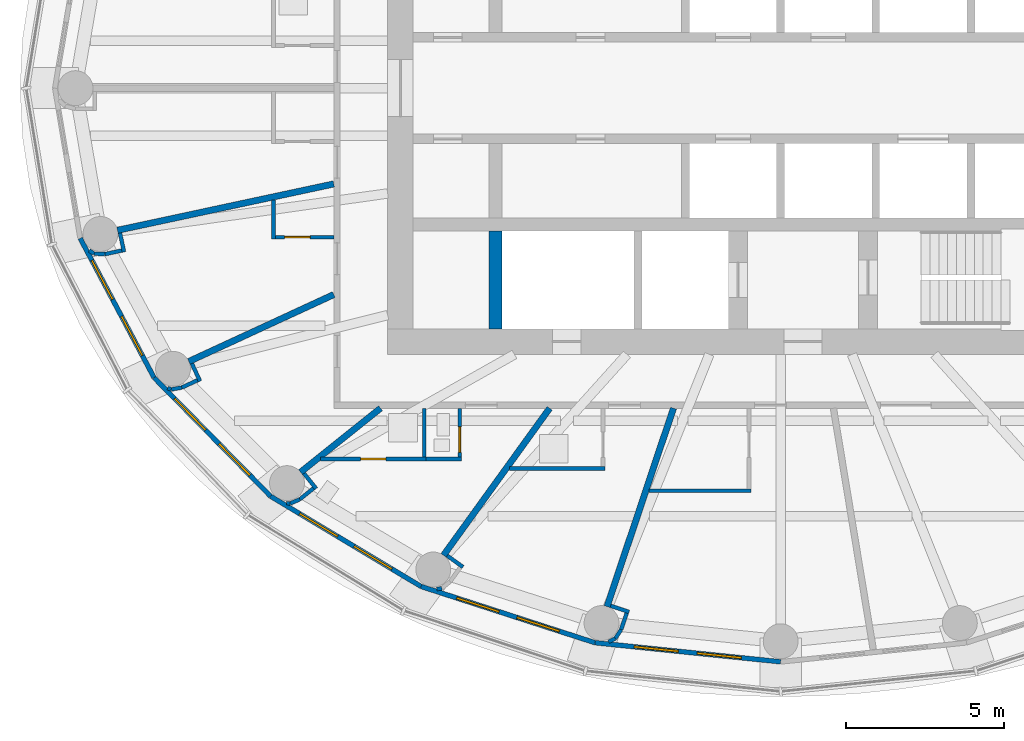
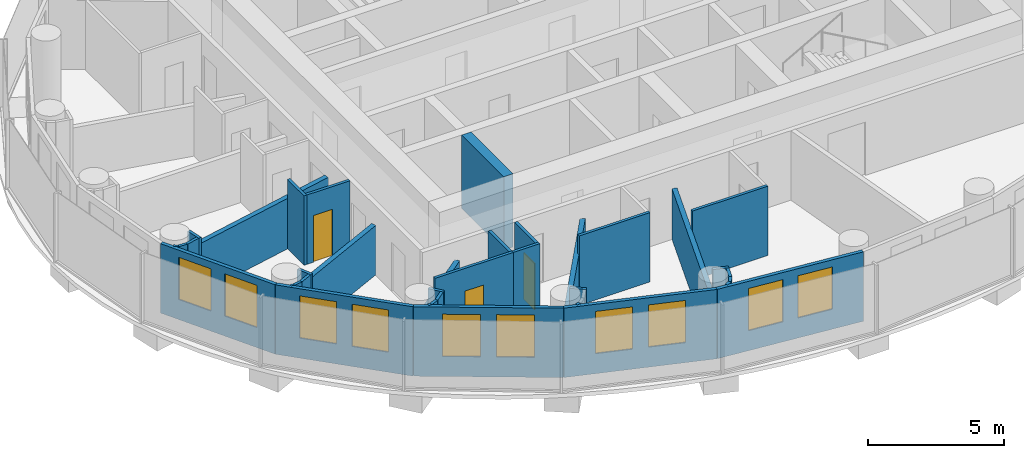
# One storey, part 7 of 16: 37 walls, 10 windows, 3 doors, 13 openings.
"""IFC4 building model written with IfcOpenShell, lengths in metres."""

from ifc_helpers import new_model, si_unit, direction, frame, frame_2d, origin, place, context, subcontext, project, spatial, rectangle, extrude, material, layer, layer_set, type_object, element, fill, save


model = new_model("IFC4")

# Units and contexts
model_context = context("Model", 3, precision=1e-05, world=origin(), true_north=direction((0.0, 1.0)))
body_context = subcontext(model_context, "Body", "Model", "MODEL_VIEW")
ifc_project = project(units=[si_unit("LENGTHUNIT", "METRE"), si_unit("AREAUNIT", "SQUARE_METRE"), si_unit("VOLUMEUNIT", "CUBIC_METRE"), si_unit("PLANEANGLEUNIT", "RADIAN"), si_unit("MASSUNIT", "GRAM", prefix="KILO")], contexts=[model_context])

# Site, building, storey
site_placement = place(None, origin())
site = spatial("IfcSite", under=ifc_project, at=site_placement, CompositionType="ELEMENT")
building_placement = place(site_placement, origin())
building = spatial("IfcBuilding", under=site, at=building_placement, Name="Hankou Lantern Tower", CompositionType="ELEMENT")
storey_placement = place(building_placement, frame((0.0, 0.0, 143.39990234375)))
storey = spatial("IfcBuildingStorey", under=building, at=storey_placement, Name="L37", CompositionType="ELEMENT", Elevation=143.39990234375)

# Wall
ifc_material_1 = material(Name="Concrete C60", Category="concrete")
ifc_layer_1 = layer(ifc_material_1, 0.39990234375)
ifc_layer_set_1 = layer_set([ifc_layer_1], Name="Concrete C60")
wall_type_1 = type_object("IfcWallType", Name="CW4 CORE CROSS WALL 400", PredefinedType="SHEAR", material=ifc_layer_set_1)
wall_1_placement = place(storey_placement, frame((-9.0, -7.60009765625, 0.0), z_axis=(0.0, 0.0, 1.0), x_axis=(0.0, 1.0, 0.0)))
element("IfcWall", 1, at=wall_1_placement, inside=storey, type_object=wall_type_1, Name="Core strip wall L37", PredefinedType="SHEAR", context=body_context, shape_type="SweptSolid", body=[
    extrude(rectangle(XDim=3.10009765625, YDim=0.39990234375, at=frame_2d((1.550048828125, 0.0))), origin(), (0.0, 0.0, 1.0), 3.300048828125),
])

# Wall, openings, windows
ifc_material_2 = material(Name="Aluminium spandrel panel on steel studs", Category="steel")
ifc_layer_2 = layer(ifc_material_2, 0.14990234375)
ifc_layer_set_2 = layer_set([ifc_layer_2], Name="Aluminium spandrel panel on steel studs")
wall_type_2 = type_object("IfcWallType", Name="EW1 INNER SKIN WALL 150", PredefinedType="ELEMENTEDWALL", material=ifc_layer_set_2)
wall_2_placement = place(storey_placement, frame((-22.1015625, -4.73779296875, 0.0), z_axis=(0.0, 0.0, 1.0), x_axis=(0.468428906714, -0.883501193748, 0.0)))
wall_2 = element("IfcWall", 2, at=wall_2_placement, inside=storey, type_object=wall_type_2, Name="Inner skin R14-R15 L37", PredefinedType="ELEMENTEDWALL", context=body_context, shape_type="SweptSolid", body=[
    extrude(rectangle(XDim=4.9736328125, YDim=0.14990234375, at=frame_2d((2.48681640625, 0.0))), origin(), (0.0, 0.0, 1.0), 3.1201171875),
])
opening_1_placement = place(wall_2_placement, frame((0.786865234375, 0.0, 0.89990234375)))
opening_1 = element("IfcOpeningElement", 3, at=opening_1_placement, cuts=wall_2, Name="Opening W3", PredefinedType="OPENING", context=body_context, shape_type="SweptSolid", body=[
    extrude(rectangle(XDim=1.39990234375, YDim=1.89990234375, at=frame_2d((0.699951171875, 0.949951171875))), frame((0.0, 0.0849609375, 0.0), z_axis=(0.0, -1.0, 0.0), x_axis=(1.0, 0.0, 0.0)), (0.0, 0.0, 1.0), 0.169921875),
])
opening_2_placement = place(wall_2_placement, frame((2.786865234375, 0.0, 0.89990234375)))
opening_2 = element("IfcOpeningElement", 4, at=opening_2_placement, cuts=wall_2, Name="Opening W3", PredefinedType="OPENING", context=body_context, shape_type="SweptSolid", body=[
    extrude(rectangle(XDim=1.39990234375, YDim=1.89990234375, at=frame_2d((0.699951171875, 0.949951171875))), frame((0.0, 0.0849609375, 0.0), z_axis=(0.0, -1.0, 0.0), x_axis=(1.0, 0.0, 0.0)), (0.0, 0.0, 1.0), 0.169921875),
])
ifc_material_3 = material(Name="Aluminium framed double glazed window", Category="aluminium")
window_type = type_object("IfcWindowType", Name="W3 GUEST ROOM WINDOW 1400X1900", PartitioningType="DOUBLE_PANEL_VERTICAL", PredefinedType="WINDOW", material=ifc_material_3)
window_1_placement = place(opening_1_placement, origin())
window_1 = element("IfcWindow", 5, at=window_1_placement, inside=storey, type_object=window_type, Name="Window R14.1 L37", OverallHeight=1.89990234375, OverallWidth=1.39990234375, PartitioningType="SINGLE_PANEL", PredefinedType="WINDOW", context=body_context, shape_type="SweptSolid", body=[
    extrude(rectangle(XDim=1.39990234375, YDim=1.89990234375, at=frame_2d((0.699951171875, 0.949951171875))), frame((0.0, 0.030029296875, 0.0), z_axis=(0.0, -1.0, 0.0), x_axis=(1.0, 0.0, 0.0)), (0.0, 0.0, 1.0), 0.06005859375),
])
fill(opening_1, window_1)
window_2_placement = place(opening_2_placement, origin())
window_2 = element("IfcWindow", 6, at=window_2_placement, inside=storey, type_object=window_type, Name="Window R14.2 L37", OverallHeight=1.89990234375, OverallWidth=1.39990234375, PartitioningType="SINGLE_PANEL", PredefinedType="WINDOW", context=body_context, shape_type="SweptSolid", body=[
    extrude(rectangle(XDim=1.39990234375, YDim=1.89990234375, at=frame_2d((0.699951171875, 0.949951171875))), frame((0.0, 0.030029296875, 0.0), z_axis=(0.0, -1.0, 0.0), x_axis=(1.0, 0.0, 0.0)), (0.0, 0.0, 1.0), 0.06005859375),
])
fill(opening_2, window_2)

wall_3_placement = place(storey_placement, frame((-19.771728515625, -9.132080078125, 0.0), z_axis=(0.0, 0.0, 1.0), x_axis=(0.700727467776, -0.71342905457, 0.0)))
wall_3 = element("IfcWall", 7, at=wall_3_placement, inside=storey, type_object=wall_type_2, Name="Inner skin R15-R16 L37", PredefinedType="ELEMENTEDWALL", context=body_context, shape_type="SweptSolid", body=[
    extrude(rectangle(XDim=5.247314453125, YDim=0.14990234375, at=frame_2d((2.62353515625, 0.0))), origin(), (0.0, 0.0, 1.0), 3.1201171875),
])
opening_3_placement = place(wall_3_placement, frame((0.923583984375, 0.0, 0.89990234375)))
opening_3 = element("IfcOpeningElement", 8, at=opening_3_placement, cuts=wall_3, Name="Opening W3", PredefinedType="OPENING", context=body_context, shape_type="SweptSolid", body=[
    extrude(rectangle(XDim=1.39990234375, YDim=1.89990234375, at=frame_2d((0.699951171875, 0.949951171875))), frame((0.0, 0.0849609375, 0.0), z_axis=(0.0, -1.0, 0.0), x_axis=(1.0, 0.0, 0.0)), (0.0, 0.0, 1.0), 0.169921875),
])
opening_4_placement = place(wall_3_placement, frame((2.923583984375, 0.0, 0.89990234375)))
opening_4 = element("IfcOpeningElement", 9, at=opening_4_placement, cuts=wall_3, Name="Opening W3", PredefinedType="OPENING", context=body_context, shape_type="SweptSolid", body=[
    extrude(rectangle(XDim=1.39990234375, YDim=1.89990234375, at=frame_2d((0.699951171875, 0.949951171875))), frame((0.0, 0.0849609375, 0.0), z_axis=(0.0, -1.0, 0.0), x_axis=(1.0, 0.0, 0.0)), (0.0, 0.0, 1.0), 0.169921875),
])
window_3_placement = place(opening_3_placement, origin())
window_3 = element("IfcWindow", 10, at=window_3_placement, inside=storey, type_object=window_type, Name="Window R15.1 L37", OverallHeight=1.89990234375, OverallWidth=1.39990234375, PartitioningType="SINGLE_PANEL", PredefinedType="WINDOW", context=body_context, shape_type="SweptSolid", body=[
    extrude(rectangle(XDim=1.39990234375, YDim=1.89990234375, at=frame_2d((0.699951171875, 0.949951171875))), frame((0.0, 0.030029296875, 0.0), z_axis=(0.0, -1.0, 0.0), x_axis=(1.0, 0.0, 0.0)), (0.0, 0.0, 1.0), 0.06005859375),
])
fill(opening_3, window_3)
window_4_placement = place(opening_4_placement, origin())
window_4 = element("IfcWindow", 11, at=window_4_placement, inside=storey, type_object=window_type, Name="Window R15.2 L37", OverallHeight=1.89990234375, OverallWidth=1.39990234375, PartitioningType="SINGLE_PANEL", PredefinedType="WINDOW", context=body_context, shape_type="SweptSolid", body=[
    extrude(rectangle(XDim=1.39990234375, YDim=1.89990234375, at=frame_2d((0.699951171875, 0.949951171875))), frame((0.0, 0.030029296875, 0.0), z_axis=(0.0, -1.0, 0.0), x_axis=(1.0, 0.0, 0.0)), (0.0, 0.0, 1.0), 0.06005859375),
])
fill(opening_4, window_4)

wall_4_placement = place(storey_placement, frame((-16.0947265625, -12.875732421875, 0.0), z_axis=(0.0, 0.0, 1.0), x_axis=(0.857695199231, -0.514158482587, 0.0)))
wall_4 = element("IfcWall", 12, at=wall_4_placement, inside=storey, type_object=wall_type_2, Name="Inner skin R16-R17 L37", PredefinedType="ELEMENTEDWALL", context=body_context, shape_type="SweptSolid", body=[
    extrude(rectangle(XDim=5.5361328125, YDim=0.14990234375, at=frame_2d((2.76806640625, 0.0))), origin(), (0.0, 0.0, 1.0), 3.1201171875),
])
opening_5_placement = place(wall_4_placement, frame((1.068115234375, 0.0, 0.89990234375)))
opening_5 = element("IfcOpeningElement", 13, at=opening_5_placement, cuts=wall_4, Name="Opening W3", PredefinedType="OPENING", context=body_context, shape_type="SweptSolid", body=[
    extrude(rectangle(XDim=1.39990234375, YDim=1.89990234375, at=frame_2d((0.699951171875, 0.949951171875))), frame((0.0, 0.0849609375, 0.0), z_axis=(0.0, -1.0, 0.0), x_axis=(1.0, 0.0, 0.0)), (0.0, 0.0, 1.0), 0.169921875),
])
opening_6_placement = place(wall_4_placement, frame((3.068115234375, 0.0, 0.89990234375)))
opening_6 = element("IfcOpeningElement", 14, at=opening_6_placement, cuts=wall_4, Name="Opening W3", PredefinedType="OPENING", context=body_context, shape_type="SweptSolid", body=[
    extrude(rectangle(XDim=1.39990234375, YDim=1.89990234375, at=frame_2d((0.699951171875, 0.949951171875))), frame((0.0, 0.0849609375, 0.0), z_axis=(0.0, -1.0, 0.0), x_axis=(1.0, 0.0, 0.0)), (0.0, 0.0, 1.0), 0.169921875),
])
window_5_placement = place(opening_5_placement, origin())
window_5 = element("IfcWindow", 15, at=window_5_placement, inside=storey, type_object=window_type, Name="Window R16.1 L37", OverallHeight=1.89990234375, OverallWidth=1.39990234375, PartitioningType="SINGLE_PANEL", PredefinedType="WINDOW", context=body_context, shape_type="SweptSolid", body=[
    extrude(rectangle(XDim=1.39990234375, YDim=1.89990234375, at=frame_2d((0.699951171875, 0.949951171875))), frame((0.0, 0.030029296875, 0.0), z_axis=(0.0, -1.0, 0.0), x_axis=(1.0, 0.0, 0.0)), (0.0, 0.0, 1.0), 0.06005859375),
])
fill(opening_5, window_5)
window_6_placement = place(opening_6_placement, origin())
window_6 = element("IfcWindow", 16, at=window_6_placement, inside=storey, type_object=window_type, Name="Window R16.2 L37", OverallHeight=1.89990234375, OverallWidth=1.39990234375, PartitioningType="SINGLE_PANEL", PredefinedType="WINDOW", context=body_context, shape_type="SweptSolid", body=[
    extrude(rectangle(XDim=1.39990234375, YDim=1.89990234375, at=frame_2d((0.699951171875, 0.949951171875))), frame((0.0, 0.030029296875, 0.0), z_axis=(0.0, -1.0, 0.0), x_axis=(1.0, 0.0, 0.0)), (0.0, 0.0, 1.0), 0.06005859375),
])
fill(opening_6, window_6)

wall_5_placement = place(storey_placement, frame((-11.346435546875, -15.72216796875, 0.0), z_axis=(0.0, 0.0, 1.0), x_axis=(0.951432482129, -0.307857486429, 0.0)))
wall_5 = element("IfcWall", 17, at=wall_5_placement, inside=storey, type_object=wall_type_2, Name="Inner skin R17-R18 L37", PredefinedType="ELEMENTEDWALL", context=body_context, shape_type="SweptSolid", body=[
    extrude(rectangle(XDim=5.76611328125, YDim=0.14990234375, at=frame_2d((2.883056640625, 0.0))), origin(), (0.0, 0.0, 1.0), 3.1201171875),
])
opening_7_placement = place(wall_5_placement, frame((1.18310546875, 0.0, 0.89990234375)))
opening_7 = element("IfcOpeningElement", 18, at=opening_7_placement, cuts=wall_5, Name="Opening W3", PredefinedType="OPENING", context=body_context, shape_type="SweptSolid", body=[
    extrude(rectangle(XDim=1.39990234375, YDim=1.89990234375, at=frame_2d((0.699951171875, 0.949951171875))), frame((0.0, 0.0849609375, 0.0), z_axis=(0.0, -1.0, 0.0), x_axis=(1.0, 0.0, 0.0)), (0.0, 0.0, 1.0), 0.169921875),
])
opening_8_placement = place(wall_5_placement, frame((3.18310546875, 0.0, 0.89990234375)))
opening_8 = element("IfcOpeningElement", 19, at=opening_8_placement, cuts=wall_5, Name="Opening W3", PredefinedType="OPENING", context=body_context, shape_type="SweptSolid", body=[
    extrude(rectangle(XDim=1.39990234375, YDim=1.89990234375, at=frame_2d((0.699951171875, 0.949951171875))), frame((0.0, 0.0849609375, 0.0), z_axis=(0.0, -1.0, 0.0), x_axis=(1.0, 0.0, 0.0)), (0.0, 0.0, 1.0), 0.169921875),
])
window_7_placement = place(opening_7_placement, origin())
window_7 = element("IfcWindow", 20, at=window_7_placement, inside=storey, type_object=window_type, Name="Window R17.1 L37", OverallHeight=1.89990234375, OverallWidth=1.39990234375, PartitioningType="SINGLE_PANEL", PredefinedType="WINDOW", context=body_context, shape_type="SweptSolid", body=[
    extrude(rectangle(XDim=1.39990234375, YDim=1.89990234375, at=frame_2d((0.699951171875, 0.949951171875))), frame((0.0, 0.030029296875, 0.0), z_axis=(0.0, -1.0, 0.0), x_axis=(1.0, 0.0, 0.0)), (0.0, 0.0, 1.0), 0.06005859375),
])
fill(opening_7, window_7)
window_8_placement = place(opening_8_placement, origin())
window_8 = element("IfcWindow", 21, at=window_8_placement, inside=storey, type_object=window_type, Name="Window R17.2 L37", OverallHeight=1.89990234375, OverallWidth=1.39990234375, PartitioningType="SINGLE_PANEL", PredefinedType="WINDOW", context=body_context, shape_type="SweptSolid", body=[
    extrude(rectangle(XDim=1.39990234375, YDim=1.89990234375, at=frame_2d((0.699951171875, 0.949951171875))), frame((0.0, 0.030029296875, 0.0), z_axis=(0.0, -1.0, 0.0), x_axis=(1.0, 0.0, 0.0)), (0.0, 0.0, 1.0), 0.06005859375),
])
fill(opening_8, window_8)

wall_6_placement = place(storey_placement, frame((-5.8603515625, -17.497314453125, 0.0), z_axis=(0.0, 0.0, 1.0), x_axis=(0.994751738032, -0.102318032045, 0.0)))
wall_6 = element("IfcWall", 22, at=wall_6_placement, inside=storey, type_object=wall_type_2, Name="Inner skin R18-R19 L37", PredefinedType="ELEMENTEDWALL", context=body_context, shape_type="SweptSolid", body=[
    extrude(rectangle(XDim=5.891357421875, YDim=0.14990234375, at=frame_2d((2.94580078125, 0.0))), origin(), (0.0, 0.0, 1.0), 3.1201171875),
])
opening_9_placement = place(wall_6_placement, frame((1.24560546875, 0.0, 0.89990234375)))
opening_9 = element("IfcOpeningElement", 23, at=opening_9_placement, cuts=wall_6, Name="Opening W3", PredefinedType="OPENING", context=body_context, shape_type="SweptSolid", body=[
    extrude(rectangle(XDim=1.39990234375, YDim=1.89990234375, at=frame_2d((0.699951171875, 0.949951171875))), frame((0.0, 0.0849609375, 0.0), z_axis=(0.0, -1.0, 0.0), x_axis=(1.0, 0.0, 0.0)), (0.0, 0.0, 1.0), 0.169921875),
])
opening_10_placement = place(wall_6_placement, frame((3.24560546875, 0.0, 0.89990234375)))
opening_10 = element("IfcOpeningElement", 24, at=opening_10_placement, cuts=wall_6, Name="Opening W3", PredefinedType="OPENING", context=body_context, shape_type="SweptSolid", body=[
    extrude(rectangle(XDim=1.39990234375, YDim=1.89990234375, at=frame_2d((0.699951171875, 0.949951171875))), frame((0.0, 0.0849609375, 0.0), z_axis=(0.0, -1.0, 0.0), x_axis=(1.0, 0.0, 0.0)), (0.0, 0.0, 1.0), 0.169921875),
])
window_9_placement = place(opening_9_placement, origin())
window_9 = element("IfcWindow", 25, at=window_9_placement, inside=storey, type_object=window_type, Name="Window R18.1 L37", OverallHeight=1.89990234375, OverallWidth=1.39990234375, PartitioningType="SINGLE_PANEL", PredefinedType="WINDOW", context=body_context, shape_type="SweptSolid", body=[
    extrude(rectangle(XDim=1.39990234375, YDim=1.89990234375, at=frame_2d((0.699951171875, 0.949951171875))), frame((0.0, 0.030029296875, 0.0), z_axis=(0.0, -1.0, 0.0), x_axis=(1.0, 0.0, 0.0)), (0.0, 0.0, 1.0), 0.06005859375),
])
fill(opening_9, window_9)
window_10_placement = place(opening_10_placement, origin())
window_10 = element("IfcWindow", 26, at=window_10_placement, inside=storey, type_object=window_type, Name="Window R18.2 L37", OverallHeight=1.89990234375, OverallWidth=1.39990234375, PartitioningType="SINGLE_PANEL", PredefinedType="WINDOW", context=body_context, shape_type="SweptSolid", body=[
    extrude(rectangle(XDim=1.39990234375, YDim=1.89990234375, at=frame_2d((0.699951171875, 0.949951171875))), frame((0.0, 0.030029296875, 0.0), z_axis=(0.0, -1.0, 0.0), x_axis=(1.0, 0.0, 0.0)), (0.0, 0.0, 1.0), 0.06005859375),
])
fill(opening_10, window_10)

# Wall
ifc_material_4 = material(Name="Masonry lightweight concrete block", Category="masonry")
ifc_layer_3 = layer(ifc_material_4, 0.1201171875)
ifc_layer_set_3 = layer_set([ifc_layer_3], Name="Masonry lightweight concrete block")
wall_type_3 = type_object("IfcWallType", Name="IW3 BATHROOM WALL 120", PredefinedType="PARTITIONING", material=ifc_layer_set_3)
wall_7_placement = place(storey_placement, frame((-16.0, -3.52978515625, 0.0), z_axis=(0.0, 0.0, 1.0), x_axis=(0.0, -1.0, 0.0)))
element("IfcWall", 27, at=wall_7_placement, inside=storey, type_object=wall_type_3, Name="Box wall 3703 1", PredefinedType="PARTITIONING", context=body_context, shape_type="SweptSolid", body=[
    extrude(rectangle(XDim=1.232666015625, YDim=0.1201171875, at=frame_2d((0.6162109375, 0.0))), origin(), (0.0, 0.0, 1.0), 3.1201171875),
])

# Wall, opening, door
wall_8_placement = place(storey_placement, frame((-14.10009765625, -4.702392578125, 0.0), z_axis=(0.0, 0.0, 1.0), x_axis=(-1.0, 0.0, 0.0)))
wall_8 = element("IfcWall", 28, at=wall_8_placement, inside=storey, type_object=wall_type_3, Name="Box wall 3703 1", PredefinedType="PARTITIONING", context=body_context, shape_type="SweptSolid", body=[
    extrude(rectangle(XDim=1.83984375, YDim=0.1201171875, at=frame_2d((0.919921875, 0.0))), origin(), (0.0, 0.0, 1.0), 3.1201171875),
])
opening_11_placement = place(wall_8_placement, frame((0.75, 0.0, 0.0)))
opening_11 = element("IfcOpeningElement", 29, at=opening_11_placement, cuts=wall_8, Name="Opening D3", PredefinedType="OPENING", context=body_context, shape_type="SweptSolid", body=[
    extrude(rectangle(XDim=0.800048828125, YDim=2.10009765625, at=frame_2d((0.39990234375, 1.050048828125))), frame((0.0, 0.070068359375, 0.0), z_axis=(0.0, -1.0, 0.0), x_axis=(1.0, 0.0, 0.0)), (0.0, 0.0, 1.0), 0.14013671875),
])
ifc_material_5 = material(Name="Timber door leaf", Category="wood")
door_type = type_object("IfcDoorType", Name="D3 BATHROOM DOOR 800X2100", OperationType="SINGLE_SWING_LEFT", PredefinedType="DOOR", material=ifc_material_5)
door_1_placement = place(opening_11_placement, origin())
door_1 = element("IfcDoor", 30, at=door_1_placement, inside=storey, type_object=door_type, Name="Spa treatment room 3703 shower room door", OperationType="SINGLE_SWING_LEFT", OverallHeight=2.10009765625, OverallWidth=0.800048828125, PredefinedType="DOOR", context=body_context, shape_type="SweptSolid", body=[
    extrude(rectangle(XDim=0.800048828125, YDim=2.10009765625, at=frame_2d((0.39990234375, 1.050048828125))), frame((0.0, 0.02490234375, 0.0), z_axis=(0.0, -1.0, 0.0), x_axis=(1.0, 0.0, 0.0)), (0.0, 0.0, 1.0), 0.050048828125),
])
fill(opening_11, door_1)

wall_9_placement = place(storey_placement, frame((-14.52490234375, -11.699951171875, 0.0), z_axis=(0.0, 0.0, 1.0), x_axis=(1.0, 0.0, 0.0)))
wall_9 = element("IfcWall", 31, at=wall_9_placement, inside=storey, type_object=wall_type_3, Name="Box wall 3705 1", PredefinedType="PARTITIONING", context=body_context, shape_type="SweptSolid", body=[
    extrude(rectangle(XDim=3.33984375, YDim=0.1201171875, at=frame_2d((1.669921875, 0.0))), origin(), (0.0, 0.0, 1.0), 3.1201171875),
])
opening_12_placement = place(wall_9_placement, frame((1.27001953125, 0.0, 0.0)))
opening_12 = element("IfcOpeningElement", 32, at=opening_12_placement, cuts=wall_9, Name="Opening D3", PredefinedType="OPENING", context=body_context, shape_type="SweptSolid", body=[
    extrude(rectangle(XDim=0.800048828125, YDim=2.10009765625, at=frame_2d((0.39990234375, 1.050048828125))), frame((0.0, 0.070068359375, 0.0), z_axis=(0.0, -1.0, 0.0), x_axis=(1.0, 0.0, 0.0)), (0.0, 0.0, 1.0), 0.14013671875),
])
door_2_placement = place(opening_12_placement, origin())
door_2 = element("IfcDoor", 33, at=door_2_placement, inside=storey, type_object=door_type, Name="Spa changing room women 3705 shower door", OperationType="SINGLE_SWING_RIGHT", OverallHeight=2.10009765625, OverallWidth=0.800048828125, PredefinedType="DOOR", context=body_context, shape_type="SweptSolid", body=[
    extrude(rectangle(XDim=0.800048828125, YDim=2.10009765625, at=frame_2d((0.39990234375, 1.050048828125))), frame((0.0, 0.02490234375, 0.0), z_axis=(0.0, -1.0, 0.0), x_axis=(1.0, 0.0, 0.0)), (0.0, 0.0, 1.0), 0.050048828125),
])
fill(opening_12, door_2)

# Walls
wall_10_placement = place(storey_placement, frame((-11.2451171875, -10.10009765625, 0.0), z_axis=(0.0, 0.0, 1.0), x_axis=(0.0, -1.0, 0.0)))
element("IfcWall", 34, at=wall_10_placement, inside=storey, type_object=wall_type_3, Name="Box wall 3705 1", PredefinedType="PARTITIONING", context=body_context, shape_type="SweptSolid", body=[
    extrude(rectangle(XDim=1.539794921875, YDim=0.1201171875, at=frame_2d((0.77001953125, 0.0))), origin(), (0.0, 0.0, 1.0), 3.1201171875),
])
wall_11_placement = place(storey_placement, frame((-11.18505859375, -11.699951171875, 0.0), z_axis=(0.0, 0.0, 1.0), x_axis=(1.0, 0.0, 0.0)))
element("IfcWall", 35, at=wall_11_placement, inside=storey, type_object=wall_type_3, Name="Box wall 3705 2", PredefinedType="PARTITIONING", context=body_context, shape_type="SweptSolid", body=[
    extrude(rectangle(XDim=1.1201171875, YDim=0.1201171875, at=frame_2d((0.56005859375, 0.0))), origin(), (0.0, 0.0, 1.0), 3.1201171875),
])

# Wall, opening, door
wall_12_placement = place(storey_placement, frame((-10.125, -10.10009765625, 0.0), z_axis=(0.0, 0.0, 1.0), x_axis=(0.0, -1.0, 0.0)))
wall_12 = element("IfcWall", 36, at=wall_12_placement, inside=storey, type_object=wall_type_3, Name="Box wall 3705 2", PredefinedType="PARTITIONING", context=body_context, shape_type="SweptSolid", body=[
    extrude(rectangle(XDim=1.539794921875, YDim=0.1201171875, at=frame_2d((0.77001953125, 0.0))), origin(), (0.0, 0.0, 1.0), 3.1201171875),
])
opening_13_placement = place(wall_12_placement, frame((0.590087890625, 0.0, 0.0)))
opening_13 = element("IfcOpeningElement", 37, at=opening_13_placement, cuts=wall_12, Name="Opening D3", PredefinedType="OPENING", context=body_context, shape_type="SweptSolid", body=[
    extrude(rectangle(XDim=0.800048828125, YDim=2.10009765625, at=frame_2d((0.39990234375, 1.050048828125))), frame((0.0, 0.070068359375, 0.0), z_axis=(0.0, -1.0, 0.0), x_axis=(1.0, 0.0, 0.0)), (0.0, 0.0, 1.0), 0.14013671875),
])
door_3_placement = place(opening_13_placement, origin())
door_3 = element("IfcDoor", 38, at=door_3_placement, inside=storey, type_object=door_type, Name="Spa changing room women 3705 WC door", OperationType="SINGLE_SWING_LEFT", OverallHeight=2.10009765625, OverallWidth=0.800048828125, PredefinedType="DOOR", context=body_context, shape_type="SweptSolid", body=[
    extrude(rectangle(XDim=0.800048828125, YDim=2.10009765625, at=frame_2d((0.39990234375, 1.050048828125))), frame((0.0, 0.02490234375, 0.0), z_axis=(0.0, -1.0, 0.0), x_axis=(1.0, 0.0, 0.0)), (0.0, 0.0, 1.0), 0.050048828125),
])
fill(opening_13, door_3)

# Walls
wall_13_placement = place(storey_placement, frame((-8.560302734375, -12.0, 0.0), z_axis=(0.0, 0.0, 1.0), x_axis=(1.0, 0.0, 0.0)))
element("IfcWall", 39, at=wall_13_placement, inside=storey, type_object=wall_type_3, Name="Box wall 3706 1", PredefinedType="PARTITIONING", context=body_context, shape_type="SweptSolid", body=[
    extrude(rectangle(XDim=3.01123046875, YDim=0.1201171875, at=frame_2d((1.505615234375, 0.0))), origin(), (0.0, 0.0, 1.0), 3.1201171875),
])
wall_14_placement = place(storey_placement, frame((-4.15380859375, -12.699951171875, 0.0), z_axis=(0.0, 0.0, 1.0), x_axis=(1.0, 0.0, 0.0)))
element("IfcWall", 40, at=wall_14_placement, inside=storey, type_object=wall_type_3, Name="Box wall 3707 1", PredefinedType="PARTITIONING", context=body_context, shape_type="SweptSolid", body=[
    extrude(rectangle(XDim=3.2109375, YDim=0.1201171875, at=frame_2d((1.60546875, 0.0))), origin(), (0.0, 0.0, 1.0), 3.1201171875),
])
ifc_material_6 = material(Name="Masonry lightweight concrete block", Category="masonry")
ifc_layer_4 = layer(ifc_material_6, 0.1201171875)
ifc_layer_set_4 = layer_set([ifc_layer_4], Name="Masonry lightweight concrete block")
wall_type_4 = type_object("IfcWallType", Name="IW4 PARTITION 120", PredefinedType="PARTITIONING", material=ifc_layer_set_4)
wall_15_placement = place(storey_placement, frame((-20.84521484375, -4.570556640625, 0.0), z_axis=(0.0, 0.0, 1.0), x_axis=(0.209365678446, -0.977837416286, 0.0)))
element("IfcWall", 41, at=wall_15_placement, inside=storey, type_object=wall_type_4, Name="Column casing R14 return", PredefinedType="PARTITIONING", context=body_context, shape_type="SweptSolid", body=[
    extrude(rectangle(XDim=0.6123046875, YDim=0.1201171875, at=frame_2d((0.30615234375, 0.0))), origin(), (0.0, 0.0, 1.0), 3.1201171875),
])
wall_16_placement = place(storey_placement, frame((-20.788330078125, -5.123291015625, 0.0), z_axis=(0.0, 0.0, 1.0), x_axis=(-0.977789415726, -0.209589738521, 0.0)))
element("IfcWall", 42, at=wall_16_placement, inside=storey, type_object=wall_type_4, Name="Column casing R14", PredefinedType="PARTITIONING", context=body_context, shape_type="SweptSolid", body=[
    extrude(rectangle(XDim=0.5498046875, YDim=0.1201171875, at=frame_2d((0.27490234375, 0.0))), origin(), (0.0, 0.0, 1.0), 3.1201171875),
])
wall_17_placement = place(storey_placement, frame((-21.325927734375, -5.238525390625, 0.0), z_axis=(0.0, 0.0, 1.0), x_axis=(-0.998719689441, 0.050586380797, 0.0)))
element("IfcWall", 43, at=wall_17_placement, inside=storey, type_object=wall_type_4, Name="Column casing R14", PredefinedType="PARTITIONING", context=body_context, shape_type="SweptSolid", body=[
    extrude(rectangle(XDim=0.337890625, YDim=0.1201171875, at=frame_2d((0.1689453125, 0.0))), origin(), (0.0, 0.0, 1.0), 3.1201171875),
])
wall_18_placement = place(storey_placement, frame((-21.663330078125, -5.221435546875, 0.0), z_axis=(0.0, 0.0, 1.0), x_axis=(-0.839279022252, 0.543700949795, 0.0)))
element("IfcWall", 44, at=wall_18_placement, inside=storey, type_object=wall_type_4, Name="Column casing R14", PredefinedType="PARTITIONING", context=body_context, shape_type="SweptSolid", body=[
    extrude(rectangle(XDim=0.18017578125, YDim=0.1201171875, at=frame_2d((0.090087890625, 0.0))), origin(), (0.0, 0.0, 1.0), 3.1201171875),
])
wall_19_placement = place(storey_placement, frame((-18.576416015625, -8.690185546875, 0.0), z_axis=(0.0, 0.0, 1.0), x_axis=(0.419083463716, -0.907947713494, 0.0)))
element("IfcWall", 45, at=wall_19_placement, inside=storey, type_object=wall_type_4, Name="Column casing R15 return", PredefinedType="PARTITIONING", context=body_context, shape_type="SweptSolid", body=[
    extrude(rectangle(XDim=0.6123046875, YDim=0.1201171875, at=frame_2d((0.30615234375, 0.0))), origin(), (0.0, 0.0, 1.0), 3.1201171875),
])
wall_20_placement = place(storey_placement, frame((-18.3994140625, -9.216796875, 0.0), z_axis=(0.0, 0.0, 1.0), x_axis=(-0.907933393845, -0.419114485961, 0.0)))
element("IfcWall", 46, at=wall_20_placement, inside=storey, type_object=wall_type_4, Name="Column casing R15", PredefinedType="PARTITIONING", context=body_context, shape_type="SweptSolid", body=[
    extrude(rectangle(XDim=0.5498046875, YDim=0.1201171875, at=frame_2d((0.27490234375, 0.0))), origin(), (0.0, 0.0, 1.0), 3.1201171875),
])
wall_21_placement = place(storey_placement, frame((-18.898681640625, -9.447265625, 0.0), z_axis=(0.0, 0.0, 1.0), x_axis=(-0.985338822624, -0.170608923066, 0.0)))
element("IfcWall", 47, at=wall_21_placement, inside=storey, type_object=wall_type_4, Name="Column casing R15", PredefinedType="PARTITIONING", context=body_context, shape_type="SweptSolid", body=[
    extrude(rectangle(XDim=0.337646484375, YDim=0.1201171875, at=frame_2d((0.1689453125, 0.0))), origin(), (0.0, 0.0, 1.0), 3.1201171875),
])
wall_22_placement = place(storey_placement, frame((-19.2314453125, -9.5048828125, 0.0), z_axis=(0.0, 0.0, 1.0), x_axis=(-0.938377418573, 0.345612239817, 0.0)))
element("IfcWall", 48, at=wall_22_placement, inside=storey, type_object=wall_type_4, Name="Column casing R15", PredefinedType="PARTITIONING", context=body_context, shape_type="SweptSolid", body=[
    extrude(rectangle(XDim=0.12158203125, YDim=0.1201171875, at=frame_2d((0.060791015625, 0.0))), origin(), (0.0, 0.0, 1.0), 3.1201171875),
])
wall_23_placement = place(storey_placement, frame((-15.037353515625, -12.157958984375, 0.0), z_axis=(0.0, 0.0, 1.0), x_axis=(0.624840920722, -0.78075208856, 0.0)))
element("IfcWall", 49, at=wall_23_placement, inside=storey, type_object=wall_type_4, Name="Column casing R16 return", PredefinedType="PARTITIONING", context=body_context, shape_type="SweptSolid", body=[
    extrude(rectangle(XDim=0.6123046875, YDim=0.1201171875, at=frame_2d((0.30615234375, 0.0))), origin(), (0.0, 0.0, 1.0), 3.1201171875),
])
wall_24_placement = place(storey_placement, frame((-14.7392578125, -12.626708984375, 0.0), z_axis=(0.0, 0.0, 1.0), x_axis=(-0.780912119987, -0.624640905527, 0.0)))
element("IfcWall", 50, at=wall_24_placement, inside=storey, type_object=wall_type_4, Name="Column casing R16", PredefinedType="PARTITIONING", context=body_context, shape_type="SweptSolid", body=[
    extrude(rectangle(XDim=0.5498046875, YDim=0.1201171875, at=frame_2d((0.27490234375, 0.0))), origin(), (0.0, 0.0, 1.0), 3.1201171875),
])
wall_25_placement = place(storey_placement, frame((-15.168701171875, -12.97021484375, 0.0), z_axis=(0.0, 0.0, 1.0), x_axis=(-0.915974725257, -0.401235968838, 0.0)))
element("IfcWall", 51, at=wall_25_placement, inside=storey, type_object=wall_type_4, Name="Column casing R16", PredefinedType="PARTITIONING", context=body_context, shape_type="SweptSolid", body=[
    extrude(rectangle(XDim=0.337646484375, YDim=0.1201171875, at=frame_2d((0.1689453125, 0.0))), origin(), (0.0, 0.0, 1.0), 3.1201171875),
])
wall_26_placement = place(storey_placement, frame((-15.47802734375, -13.105712890625, 0.0), z_axis=(0.0, 0.0, 1.0), x_axis=(-0.993778813557, 0.111371763588, 0.0)))
element("IfcWall", 52, at=wall_26_placement, inside=storey, type_object=wall_type_4, Name="Column casing R16", PredefinedType="PARTITIONING", context=body_context, shape_type="SweptSolid", body=[
    extrude(rectangle(XDim=0.114013671875, YDim=0.1201171875, at=frame_2d((0.05712890625, 0.0))), origin(), (0.0, 0.0, 1.0), 3.1201171875),
])
wall_27_placement = place(storey_placement, frame((-10.521728515625, -14.750244140625, 0.0), z_axis=(0.0, 0.0, 1.0), x_axis=(0.811057588427, -0.584966313777, 0.0)))
element("IfcWall", 53, at=wall_27_placement, inside=storey, type_object=wall_type_4, Name="Column casing R17 return", PredefinedType="PARTITIONING", context=body_context, shape_type="SweptSolid", body=[
    extrude(rectangle(XDim=0.6123046875, YDim=0.1201171875, at=frame_2d((0.30615234375, 0.0))), origin(), (0.0, 0.0, 1.0), 3.1201171875),
])
wall_28_placement = place(storey_placement, frame((-10.692626953125, -15.78125, 0.0), z_axis=(0.0, 0.0, 1.0), x_axis=(-0.987256785332, -0.159135287777, 0.0)))
element("IfcWall", 54, at=wall_28_placement, inside=storey, type_object=wall_type_4, Name="Column casing R17", PredefinedType="PARTITIONING", context=body_context, shape_type="SweptSolid", body=[
    extrude(rectangle(XDim=0.157958984375, YDim=0.1201171875, at=frame_2d((0.0791015625, 0.0))), origin(), (0.0, 0.0, 1.0), 3.1201171875),
])
wall_29_placement = place(storey_placement, frame((-5.3642578125, -16.330810546875, 0.0), z_axis=(0.0, 0.0, 1.0), x_axis=(0.948283770087, -0.317423835572, 0.0)))
element("IfcWall", 55, at=wall_29_placement, inside=storey, type_object=wall_type_4, Name="Column casing R18 return", PredefinedType="PARTITIONING", context=body_context, shape_type="SweptSolid", body=[
    extrude(rectangle(XDim=0.6123046875, YDim=0.1201171875, at=frame_2d((0.30615234375, 0.0))), origin(), (0.0, 0.0, 1.0), 3.1201171875),
])
wall_30_placement = place(storey_placement, frame((-4.859619140625, -16.56298828125, 0.0), z_axis=(0.0, 0.0, 1.0), x_axis=(-0.317825321803, -0.948149284038, 0.0)))
element("IfcWall", 56, at=wall_30_placement, inside=storey, type_object=wall_type_4, Name="Column casing R18", PredefinedType="PARTITIONING", context=body_context, shape_type="SweptSolid", body=[
    extrude(rectangle(XDim=0.550048828125, YDim=0.1201171875, at=frame_2d((0.27490234375, 0.0))), origin(), (0.0, 0.0, 1.0), 3.1201171875),
])
wall_31_placement = place(storey_placement, frame((-5.034423828125, -17.08447265625, 0.0), z_axis=(0.0, 0.0, 1.0), x_axis=(-0.552362205726, -0.833604218851, 0.0)))
element("IfcWall", 57, at=wall_31_placement, inside=storey, type_object=wall_type_4, Name="Column casing R18", PredefinedType="PARTITIONING", context=body_context, shape_type="SweptSolid", body=[
    extrude(rectangle(XDim=0.337646484375, YDim=0.1201171875, at=frame_2d((0.1689453125, 0.0))), origin(), (0.0, 0.0, 1.0), 3.1201171875),
])
wall_32_placement = place(storey_placement, frame((-5.220947265625, -17.365966796875, 0.0), z_axis=(0.0, 0.0, 1.0), x_axis=(-0.895067896179, -0.445929883759, 0.0)))
element("IfcWall", 58, at=wall_32_placement, inside=storey, type_object=wall_type_4, Name="Column casing R18", PredefinedType="PARTITIONING", context=body_context, shape_type="SweptSolid", body=[
    extrude(rectangle(XDim=0.228271484375, YDim=0.1201171875, at=frame_2d((0.1142578125, 0.0))), origin(), (0.0, 0.0, 1.0), 3.1201171875),
])
ifc_material_7 = material(Name="Masonry lightweight concrete block", Category="masonry")
ifc_layer_5 = layer(ifc_material_7, 0.199951171875)
ifc_layer_set_5 = layer_set([ifc_layer_5], Name="Masonry lightweight concrete block")
wall_type_5 = type_object("IfcWallType", Name="IW8 PARTITION 200", PredefinedType="PARTITIONING", material=ifc_layer_set_5)
wall_33_placement = place(storey_placement, frame((-14.10009765625, -3.0224609375, 0.0), z_axis=(0.0, 0.0, 1.0), x_axis=(-0.977790639684, -0.209584028367, 0.0)))
element("IfcWall", 59, at=wall_33_placement, inside=storey, type_object=wall_type_5, Name="Partition R14", PredefinedType="PARTITIONING", context=body_context, shape_type="SweptSolid", body=[
    extrude(rectangle(XDim=6.97998046875, YDim=0.199951171875, at=frame_2d((3.489990234375, 0.0))), origin(), (0.0, 0.0, 1.0), 2.27001953125),
])
wall_34_placement = place(storey_placement, frame((-14.10009765625, -6.512451171875, 0.0), z_axis=(0.0, 0.0, 1.0), x_axis=(-0.907823150669, -0.419353224751, 0.0)))
element("IfcWall", 60, at=wall_34_placement, inside=storey, type_object=wall_type_5, Name="Partition R15", PredefinedType="PARTITIONING", context=body_context, shape_type="SweptSolid", body=[
    extrude(rectangle(XDim=5.037109375, YDim=0.199951171875, at=frame_2d((2.5185546875, 0.0))), origin(), (0.0, 0.0, 1.0), 2.22021484375),
])
wall_35_placement = place(storey_placement, frame((-12.625, -10.10009765625, 0.0), z_axis=(0.0, 0.0, 1.0), x_axis=(-0.780876185034, -0.624685827954, 0.0)))
element("IfcWall", 61, at=wall_35_placement, inside=storey, type_object=wall_type_5, Name="Partition R16", PredefinedType="PARTITIONING", context=body_context, shape_type="SweptSolid", body=[
    extrude(rectangle(XDim=3.229248046875, YDim=0.199951171875, at=frame_2d((1.61474609375, 0.0))), origin(), (0.0, 0.0, 1.0), 2.27001953125),
])
wall_36_placement = place(storey_placement, frame((-7.2890625, -10.10009765625, 0.0), z_axis=(0.0, 0.0, 1.0), x_axis=(-0.585222595178, -0.810872686735, 0.0)))
element("IfcWall", 62, at=wall_36_placement, inside=storey, type_object=wall_type_5, Name="Partition R17", PredefinedType="PARTITIONING", context=body_context, shape_type="SweptSolid", body=[
    extrude(rectangle(XDim=5.722412109375, YDim=0.199951171875, at=frame_2d((2.861328125, 0.0))), origin(), (0.0, 0.0, 1.0), 2.27001953125),
])
wall_37_placement = place(storey_placement, frame((-3.3828125, -10.10009765625, 0.0), z_axis=(0.0, 0.0, 1.0), x_axis=(-0.317615120474, -0.948219718866, 0.0)))
element("IfcWall", 63, at=wall_37_placement, inside=storey, type_object=wall_type_5, Name="Partition R18", PredefinedType="PARTITIONING", context=body_context, shape_type="SweptSolid", body=[
    extrude(rectangle(XDim=6.597412109375, YDim=0.199951171875, at=frame_2d((3.298828125, 0.0))), origin(), (0.0, 0.0, 1.0), 2.27001953125),
])

save(model, "model.ifc")
